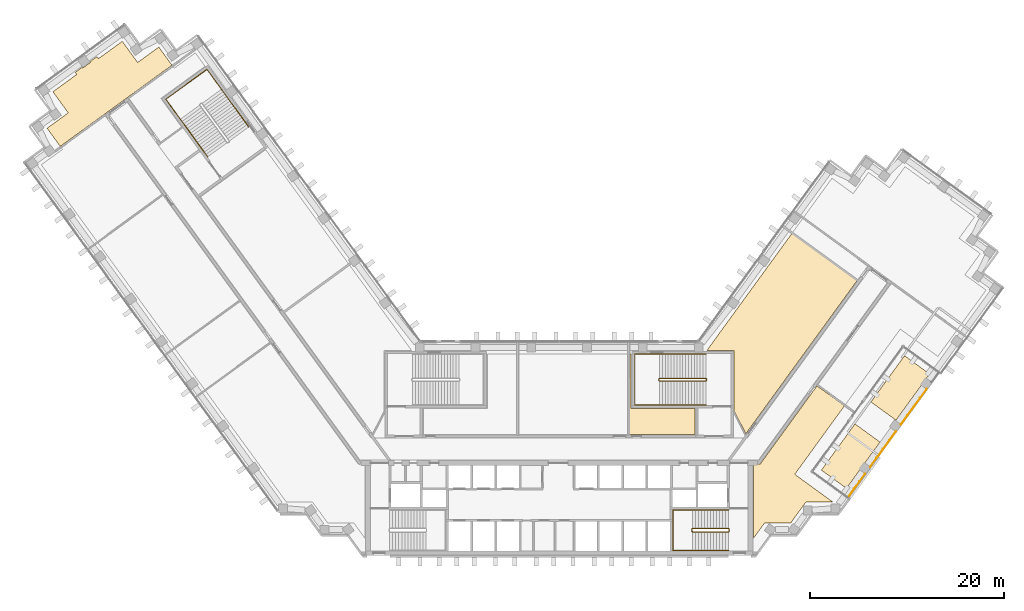
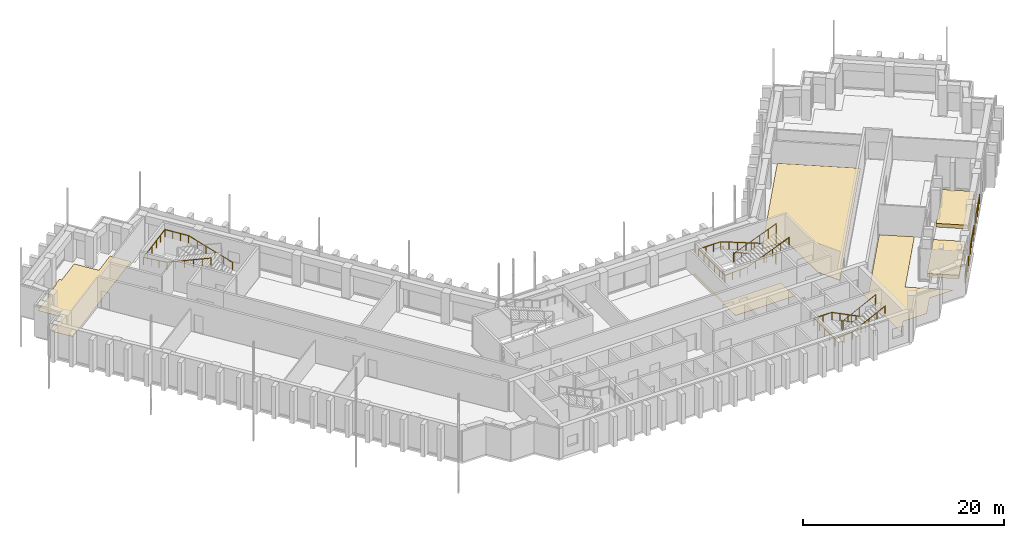
# One storey, part 16 of 17: 8 railings, 6 coverings.
"""IFC4 building model written with IfcOpenShell, lengths in metres."""

from ifc_helpers import new_model, si_unit, direction, frame, origin, origin_2d, place, context, subcontext, project, spatial, polyline, circle, outline, extrude, material, layer, layer_set, type_object, element, save


model = new_model("IFC4")

# Units and contexts
model_context = context("Model", 3, precision=1e-05, world=origin(), true_north=direction((0.0, 1.0)))
body_context = subcontext(model_context, "Body", "Model", "MODEL_VIEW")
ifc_project = project(units=[si_unit("LENGTHUNIT", "METRE"), si_unit("AREAUNIT", "SQUARE_METRE"), si_unit("VOLUMEUNIT", "CUBIC_METRE"), si_unit("PLANEANGLEUNIT", "RADIAN"), si_unit("MASSUNIT", "GRAM", prefix="KILO")], contexts=[model_context])

# Site, building, storey
site_placement = place(None, origin())
site = spatial("IfcSite", under=ifc_project, at=site_placement, CompositionType="ELEMENT")
building_placement = place(site_placement, origin())
building = spatial("IfcBuilding", under=site, at=building_placement, Name="Quipu Civic Tower", CompositionType="ELEMENT")
storey_placement = place(building_placement, frame((0.0, 0.0, 101.0)))
storey = spatial("IfcBuildingStorey", under=building, at=storey_placement, Name="L23", CompositionType="ELEMENT", Elevation=101.0)

# Coverings
ifc_material_1 = material(Name="Carpet tile on raised access floor")
ifc_layer_1 = layer(ifc_material_1, 0.02001953125)
ifc_layer_set_1 = layer_set([ifc_layer_1], Name="Carpet tile on raised access floor")
covering_type_1 = type_object("IfcCoveringType", Name="Carpet tile floor finish 20", PredefinedType="FLOORING", material=ifc_layer_set_1)
covering_1_placement = place(storey_placement, origin())
element("IfcCovering", 1, at=covering_1_placement, inside=storey, type_object=covering_type_1, Name="Carpet tile floor finish 20", PredefinedType="FLOORING", context=body_context, shape_type="SweptSolid", body=[
    extrude(outline(polyline([(-52.883056640625, 33.12890625), (-50.698974609375, 34.717041015625), (-52.284912109375, 36.90087890625), (-49.826904296875, 38.68603515625), (-49.97900390625, 38.89697265625), (-49.259033203125, 39.4208984375), (-49.236083984375, 39.388916015625), (-49.23291015625, 39.385009765625), (-49.22900390625, 39.382080078125), (-49.22607421875, 39.3779296875), (-49.220947265625, 39.3759765625), (-49.217041015625, 39.373046875), (-49.212890625, 39.37109375), (-49.2080078125, 39.3701171875), (-49.202880859375, 39.368896484375), (-49.197998046875, 39.367919921875), (-49.193115234375, 39.367919921875), (-49.18896484375, 39.368896484375), (-49.18408203125, 39.3701171875), (-49.178955078125, 39.37109375), (-49.174072265625, 39.373046875), (-49.169921875, 39.375), (-49.166015625, 39.3779296875), (-48.43798828125, 39.906982421875), (-48.43408203125, 39.909912109375), (-48.430908203125, 39.9130859375), (-48.427001953125, 39.9169921875), (-48.425048828125, 39.9208984375), (-48.422119140625, 39.926025390625), (-48.419921875, 39.929931640625), (-48.4189453125, 39.93505859375), (-48.41796875, 39.93994140625), (-48.4169921875, 39.944091796875), (-48.4169921875, 39.948974609375), (-48.41796875, 39.9541015625), (-48.4189453125, 39.958984375), (-48.419921875, 39.964111328125), (-48.422119140625, 39.968017578125), (-48.424072265625, 39.972900390625), (-48.427001953125, 39.97705078125), (-48.449951171875, 40.008056640625), (-47.72900390625, 40.531982421875), (-47.574951171875, 40.322021484375), (-45.116943359375, 42.10791015625), (-43.531982421875, 39.925048828125), (-41.346923828125, 41.510986328125), (-39.989013671875, 39.64208984375), (-51.52587890625, 31.260009765625), (-52.883056640625, 33.12890625)])), origin(), (0.0, 0.0, 1.0), 0.02001953125),
])
covering_2_placement = place(storey_placement, origin())
element("IfcCovering", 2, at=covering_2_placement, inside=storey, type_object=covering_type_1, Name="Carpet tile floor finish 20", PredefinedType="FLOORING", context=body_context, shape_type="SweptSolid", body=[
    extrude(outline(polyline([(20.070068359375, -9.195068359375), (20.070068359375, -1.52001953125), (20.77490234375, -1.51904296875), (26.6220703125, 6.529052734375), (29.4619140625, 4.467041015625), (24.322998046875, -2.60791015625), (28.205078125, -5.429931640625), (28.18310546875, -5.4609375), (25.48193359375, -5.4619140625), (25.2080078125, -5.840087890625), (25.205078125, -5.841064453125), (25.200927734375, -5.843017578125), (25.197021484375, -5.844970703125), (25.193115234375, -5.847900390625), (25.18896484375, -5.85205078125), (25.18603515625, -5.85498046875), (25.18310546875, -5.85888671875), (25.179931640625, -5.863037109375), (25.177978515625, -5.867919921875), (25.177001953125, -5.8720703125), (25.175048828125, -5.876953125), (25.175048828125, -5.882080078125), (25.174072265625, -5.885986328125), (23.89501953125, -7.64599609375), (21.721923828125, -7.64599609375), (21.721923828125, -7.64599609375), (21.718017578125, -7.64306640625), (21.712890625, -7.64111328125), (21.708984375, -7.638916015625), (21.7041015625, -7.637939453125), (21.698974609375, -7.636962890625), (21.694091796875, -7.635986328125), (21.68896484375, -7.636962890625), (21.68408203125, -7.636962890625), (21.679931640625, -7.637939453125), (21.675048828125, -7.639892578125), (21.669921875, -7.64111328125), (21.666015625, -7.64404296875), (21.6630859375, -7.64599609375), (21.196044921875, -7.64599609375), (20.070068359375, -9.195068359375)])), origin(), (0.0, 0.0, 1.0), 0.02001953125),
])
ifc_material_2 = material(Name="Ceramic floor tile")
ifc_layer_2 = layer(ifc_material_2, 0.030029296875)
ifc_layer_set_2 = layer_set([ifc_layer_2], Name="Ceramic floor tile")
covering_type_2 = type_object("IfcCoveringType", Name="Ceramic tile floor finish 30", PredefinedType="FLOORING", material=ifc_layer_set_2)
covering_3_placement = place(storey_placement, origin())
element("IfcCovering", 3, at=covering_3_placement, inside=storey, type_object=covering_type_2, Name="Ceramic tile floor finish 30", PredefinedType="FLOORING", context=body_context, shape_type="SweptSolid", body=[
    extrude(outline(polyline([(7.26806640625, 1.52001953125), (7.26806640625, 9.830078125), (7.429931640625, 9.830078125), (7.429931640625, 4.180908203125), (14.030029296875, 4.179931640625), (14.030029296875, 1.52001953125), (7.26806640625, 1.52001953125)])), origin(), (0.0, 0.0, 1.0), 0.030029296875),
])
ifc_material_3 = material(Name="Planting soil on drainage board")
ifc_layer_3 = layer(ifc_material_3, 0.449951171875)
ifc_layer_set_3 = layer_set([ifc_layer_3], Name="Planting soil on drainage board")
covering_type_3 = type_object("IfcCoveringType", Name="Planted terrace build-up", PredefinedType="FLOORING", material=ifc_layer_set_3)
covering_4_placement = place(storey_placement, origin())
element("IfcCovering", 4, at=covering_4_placement, inside=storey, type_object=covering_type_3, Name="Planted terrace L23 bed 1", PredefinedType="FLOORING", context=body_context, shape_type="SweptSolid", body=[
    extrude(outline(polyline([(30.54150390625, 2.60009765625), (33.13037109375, 0.718994140625), (29.66259765625, -4.0537109375), (27.07373046875, -2.1728515625), (30.54150390625, 2.60009765625)])), origin(), (0.0, 0.0, 1.0), 0.449951171875),
])
covering_5_placement = place(storey_placement, origin())
element("IfcCovering", 5, at=covering_5_placement, inside=storey, type_object=covering_type_3, Name="Planted terrace L23 bed 2", PredefinedType="FLOORING", context=body_context, shape_type="SweptSolid", body=[
    extrude(outline(polyline([(35.655517578125, 9.638916015625), (38.244384765625, 7.7578125), (34.776123046875, 2.984375), (32.187255859375, 4.865234375), (35.655517578125, 9.638916015625)])), origin(), (0.0, 0.0, 1.0), 0.449951171875),
])
ifc_material_4 = material(Name="Sealed cement screed")
ifc_layer_4 = layer(ifc_material_4, 0.050048828125)
ifc_layer_set_4 = layer_set([ifc_layer_4], Name="Sealed cement screed")
covering_type_4 = type_object("IfcCoveringType", Name="Sealed screed floor finish 50", PredefinedType="FLOORING", material=ifc_layer_set_4)
covering_6_placement = place(storey_placement, origin())
element("IfcCovering", 6, at=covering_6_placement, inside=storey, type_object=covering_type_4, Name="Sealed screed floor finish 50", PredefinedType="FLOORING", context=body_context, shape_type="SweptSolid", body=[
    extrude(outline(polyline([(15.238037109375, 10.169921875), (24.029052734375, 22.26904296875), (30.751953125, 17.385986328125), (19.27197265625, 1.583984375), (18.070068359375, 3.94189453125), (18.070068359375, 10.1689453125), (15.238037109375, 10.169921875)])), origin(), (0.0, 0.0, 1.0), 0.050048828125),
])

# Railings
ifc_material_5 = material(Name="Stainless steel", Category="steel")
railing_type_1 = type_object("IfcRailingType", Name="Stair guard 1100", PredefinedType="GUARDRAIL", material=ifc_material_5)
railing_1_placement = place(storey_placement, frame((17.5, -8.199951171875, 0.15380859375)))
element("IfcRailing", 7, at=railing_1_placement, inside=storey, type_object=railing_type_1, Name="Stair 2 guard", PredefinedType="GUARDRAIL", context=body_context, shape_type="SweptSolid", body=[
    extrude(circle(Radius=0.02392578125, at=origin_2d()), frame((0.0, 0.0, 1.076171875), z_axis=(-0.895751851347, 0.0, 0.444554407028), x_axis=(0.0, -1.0, 0.0)), (0.0, 0.0, 1.0), 4.15283203125),
    extrude(circle(Radius=0.02392578125, at=origin_2d()), frame((-3.719970703125, 0.0, 2.92236328125), z_axis=(-0.707106781187, -0.707106781187, 0.0), x_axis=(0.707106781187, -0.707106781187, 0.0)), (0.0, 0.0, 1.0), 0.07080078125),
    extrude(circle(Radius=0.02392578125, at=origin_2d()), frame((-3.77001953125, -0.050048828125, 2.92236328125), z_axis=(0.0, -1.0, 0.0), x_axis=(1.0, 0.0, 0.0)), (0.0, 0.0, 1.0), 0.25),
    extrude(circle(Radius=0.02392578125, at=origin_2d()), frame((-3.77001953125, -0.300048828125, 2.92236328125), z_axis=(0.295599637079, -0.295599637079, 0.908428152975), x_axis=(0.707106781187, 0.707106781187, 0.0)), (0.0, 0.0, 1.0), 0.16943359375),
    extrude(circle(Radius=0.02392578125, at=origin_2d()), frame((-3.719970703125, -0.35009765625, 3.076171875), z_axis=(0.895751851347, 0.0, 0.444554407028), x_axis=(0.0, 1.0, 0.0)), (0.0, 0.0, 1.0), 4.15283203125),
    extrude(circle(Radius=0.02392578125, at=origin_2d()), frame((0.0, -0.35009765625, 4.92236328125), z_axis=(0.012476181752, 0.074796231092, -0.997120789425), x_axis=(-0.986372223864, 0.164529134168, 0.0)), (0.0, 0.0, 1.0), 4.011474609375),
    extrude(circle(Radius=0.02392578125, at=origin_2d()), frame((0.050048828125, -0.050048828125, 0.92236328125), z_axis=(0.0, -1.0, 0.0), x_axis=(1.0, 0.0, 0.0)), (0.0, 0.0, 1.0), 0.25),
    extrude(circle(Radius=0.02099609375, at=origin_2d()), origin(), (0.0, 0.0, 1.0), 1.052001953125),
    extrude(circle(Radius=0.02099609375, at=origin_2d()), frame((-0.929931640625, 0.0, 0.46142578125)), (0.0, 0.0, 1.0), 1.052001953125),
    extrude(circle(Radius=0.02099609375, at=origin_2d()), frame((-1.85986328125, 0.0, 0.923095703125)), (0.0, 0.0, 1.0), 1.052001953125),
    extrude(circle(Radius=0.02099609375, at=origin_2d()), frame((-2.7900390625, 0.0, 1.384765625)), (0.0, 0.0, 1.0), 1.052001953125),
    extrude(circle(Radius=0.02099609375, at=origin_2d()), frame((-3.719970703125, 0.0, 1.84619140625)), (0.0, 0.0, 1.0), 1.052001953125),
    extrude(circle(Radius=0.02099609375, at=origin_2d()), frame((-3.77001953125, -0.050048828125, 1.84619140625)), (0.0, 0.0, 1.0), 1.052001953125),
    extrude(circle(Radius=0.02099609375, at=origin_2d()), frame((-3.77001953125, -0.300048828125, 1.84619140625)), (0.0, 0.0, 1.0), 1.052001953125),
    extrude(circle(Radius=0.02099609375, at=origin_2d()), frame((-3.719970703125, -0.35009765625, 2.0)), (0.0, 0.0, 1.0), 1.052001953125),
    extrude(circle(Radius=0.02099609375, at=origin_2d()), frame((-2.7900390625, -0.35009765625, 2.46142578125)), (0.0, 0.0, 1.0), 1.052001953125),
    extrude(circle(Radius=0.02099609375, at=origin_2d()), frame((-1.85986328125, -0.35009765625, 2.923095703125)), (0.0, 0.0, 1.0), 1.052001953125),
    extrude(circle(Radius=0.02099609375, at=origin_2d()), frame((-0.929931640625, -0.35009765625, 3.384765625)), (0.0, 0.0, 1.0), 1.052001953125),
    extrude(circle(Radius=0.02099609375, at=origin_2d()), frame((0.0, -0.35009765625, 3.84619140625)), (0.0, 0.0, 1.0), 1.052001953125),
    extrude(circle(Radius=0.02099609375, at=origin_2d()), frame((0.012451171875, -0.275146484375, 2.84619140625)), (0.0, 0.0, 1.0), 1.052001953125),
    extrude(circle(Radius=0.02099609375, at=origin_2d()), frame((0.02490234375, -0.2001953125, 1.84619140625)), (0.0, 0.0, 1.0), 1.052001953125),
    extrude(circle(Radius=0.02099609375, at=origin_2d()), frame((0.03759765625, -0.125, 0.84619140625)), (0.0, 0.0, 1.0), 1.052001953125),
    extrude(circle(Radius=0.02099609375, at=origin_2d()), frame((0.050048828125, -0.050048828125, -0.15380859375)), (0.0, 0.0, 1.0), 1.052001953125),
    extrude(circle(Radius=0.02099609375, at=origin_2d()), frame((0.050048828125, -0.300048828125, -0.15380859375)), (0.0, 0.0, 1.0), 1.052001953125),
])
railing_2_placement = place(storey_placement, frame((15.14990234375, 7.300048828125, 0.11767578125)))
element("IfcRailing", 8, at=railing_2_placement, inside=storey, type_object=railing_type_1, Name="Stair 4 guard", PredefinedType="GUARDRAIL", context=body_context, shape_type="SweptSolid", body=[
    extrude(circle(Radius=0.02392578125, at=origin_2d()), frame((0.0, 0.0, 1.076171875), z_axis=(-0.930970042603, 0.0, 0.365095576219), x_axis=(0.0, -1.0, 0.0)), (0.0, 0.0, 1.0), 5.15576171875),
    extrude(circle(Radius=0.02392578125, at=origin_2d()), frame((-4.7998046875, 0.0, 2.95849609375), z_axis=(-0.707106781187, -0.707106781187, 0.0), x_axis=(0.707106781187, -0.707106781187, 0.0)), (0.0, 0.0, 1.0), 0.07080078125),
    extrude(circle(Radius=0.02392578125, at=origin_2d()), frame((-4.849853515625, -0.050048828125, 2.95849609375), z_axis=(0.0, -1.0, 0.0), x_axis=(1.0, 0.0, 0.0)), (0.0, 0.0, 1.0), 0.14990234375),
    extrude(circle(Radius=0.02392578125, at=origin_2d()), frame((-4.849853515625, -0.199951171875, 2.95849609375), z_axis=(0.364463019033, -0.364463019033, 0.856932561824), x_axis=(0.707106781187, 0.707106781187, 0.0)), (0.0, 0.0, 1.0), 0.13720703125),
    extrude(circle(Radius=0.02392578125, at=origin_2d()), frame((-4.7998046875, -0.25, 3.076171875), z_axis=(0.930970042603, 0.0, 0.365095576219), x_axis=(0.0, 1.0, 0.0)), (0.0, 0.0, 1.0), 5.15576171875),
    extrude(circle(Radius=0.02392578125, at=origin_2d()), frame((0.0, -0.25, 4.95849609375), z_axis=(0.012495627992, 0.049921557685, -0.998674970829), x_axis=(-0.970072785993, 0.242814311512, 0.0)), (0.0, 0.0, 1.0), 4.00537109375),
    extrude(circle(Radius=0.02392578125, at=origin_2d()), frame((0.050048828125, -0.050048828125, 0.95849609375), z_axis=(0.0, -1.0, 0.0), x_axis=(1.0, 0.0, 0.0)), (0.0, 0.0, 1.0), 0.14990234375),
    extrude(circle(Radius=0.02099609375, at=origin_2d()), origin(), (0.0, 0.0, 1.0), 1.052001953125),
    extrude(circle(Radius=0.02099609375, at=origin_2d()), frame((-0.9599609375, 0.0, 0.37646484375)), (0.0, 0.0, 1.0), 1.052001953125),
    extrude(circle(Radius=0.02099609375, at=origin_2d()), frame((-1.919921875, 0.0, 0.7529296875)), (0.0, 0.0, 1.0), 1.052001953125),
    extrude(circle(Radius=0.02099609375, at=origin_2d()), frame((-2.8798828125, 0.0, 1.12939453125)), (0.0, 0.0, 1.0), 1.052001953125),
    extrude(circle(Radius=0.02099609375, at=origin_2d()), frame((-3.83984375, 0.0, 1.505859375)), (0.0, 0.0, 1.0), 1.052001953125),
    extrude(circle(Radius=0.02099609375, at=origin_2d()), frame((-4.7998046875, 0.0, 1.88232421875)), (0.0, 0.0, 1.0), 1.052001953125),
    extrude(circle(Radius=0.02099609375, at=origin_2d()), frame((-4.849853515625, -0.050048828125, 1.88232421875)), (0.0, 0.0, 1.0), 1.052001953125),
    extrude(circle(Radius=0.02099609375, at=origin_2d()), frame((-4.849853515625, -0.199951171875, 1.88232421875)), (0.0, 0.0, 1.0), 1.052001953125),
    extrude(circle(Radius=0.02099609375, at=origin_2d()), frame((-4.7998046875, -0.25, 2.0)), (0.0, 0.0, 1.0), 1.052001953125),
    extrude(circle(Radius=0.02099609375, at=origin_2d()), frame((-3.83984375, -0.25, 2.37646484375)), (0.0, 0.0, 1.0), 1.052001953125),
    extrude(circle(Radius=0.02099609375, at=origin_2d()), frame((-2.8798828125, -0.25, 2.7529296875)), (0.0, 0.0, 1.0), 1.052001953125),
    extrude(circle(Radius=0.02099609375, at=origin_2d()), frame((-1.919921875, -0.25, 3.12939453125)), (0.0, 0.0, 1.0), 1.052001953125),
    extrude(circle(Radius=0.02099609375, at=origin_2d()), frame((-0.9599609375, -0.25, 3.505859375)), (0.0, 0.0, 1.0), 1.052001953125),
    extrude(circle(Radius=0.02099609375, at=origin_2d()), frame((0.0, -0.25, 3.88232421875)), (0.0, 0.0, 1.0), 1.052001953125),
    extrude(circle(Radius=0.02099609375, at=origin_2d()), frame((0.012451171875, -0.199951171875, 2.88232421875)), (0.0, 0.0, 1.0), 1.052001953125),
    extrude(circle(Radius=0.02099609375, at=origin_2d()), frame((0.02490234375, -0.14990234375, 1.88232421875)), (0.0, 0.0, 1.0), 1.052001953125),
    extrude(circle(Radius=0.02099609375, at=origin_2d()), frame((0.03759765625, -0.10009765625, 0.88232421875)), (0.0, 0.0, 1.0), 1.052001953125),
    extrude(circle(Radius=0.02099609375, at=origin_2d()), frame((0.050048828125, -0.050048828125, -0.11767578125)), (0.0, 0.0, 1.0), 1.052001953125),
    extrude(circle(Radius=0.02099609375, at=origin_2d()), frame((0.050048828125, -0.199951171875, -0.11767578125)), (0.0, 0.0, 1.0), 1.052001953125),
])
ifc_material_6 = material(Name="Stainless steel", Category="steel")
railing_type_2 = type_object("IfcRailingType", Name="Stair handrail", PredefinedType="HANDRAIL", material=ifc_material_6)
railing_3_placement = place(storey_placement, frame((17.5, -6.300048828125, 0.15380859375)))
element("IfcRailing", 9, at=railing_3_placement, inside=storey, type_object=railing_type_2, Name="Stair 2 handrail", PredefinedType="HANDRAIL", context=body_context, shape_type="SweptSolid", body=[
    extrude(circle(Radius=0.02392578125, at=origin_2d()), frame((0.0, 0.0, 0.8759765625), z_axis=(-0.895751851347, 0.0, 0.444554407028), x_axis=(0.0, -1.0, 0.0)), (0.0, 0.0, 1.0), 4.15283203125),
    extrude(circle(Radius=0.02392578125, at=origin_2d()), frame((-3.719970703125, 0.0, 2.72216796875), z_axis=(-1.0, 0.0, 0.0), x_axis=(0.0, -1.0, 0.0)), (0.0, 0.0, 1.0), 2.030029296875),
    extrude(circle(Radius=0.02392578125, at=origin_2d()), frame((-5.75, 0.0, 2.72216796875), z_axis=(0.0, -1.0, 0.0), x_axis=(1.0, 0.0, 0.0)), (0.0, 0.0, 1.0), 4.14990234375),
    extrude(circle(Radius=0.02392578125, at=origin_2d()), frame((-5.75, -4.14990234375, 2.72216796875), z_axis=(0.997142003663, 0.0, 0.075550145798), x_axis=(0.0, 1.0, 0.0)), (0.0, 0.0, 1.0), 2.035888671875),
    extrude(circle(Radius=0.02392578125, at=origin_2d()), frame((-3.719970703125, -4.14990234375, 2.8759765625), z_axis=(0.895751851347, 0.0, 0.444554407028), x_axis=(0.0, 1.0, 0.0)), (0.0, 0.0, 1.0), 4.15283203125),
    extrude(circle(Radius=0.02099609375, at=origin_2d()), origin(), (0.0, 0.0, 1.0), 0.851806640625),
    extrude(circle(Radius=0.02099609375, at=origin_2d()), frame((-0.929931640625, 0.0, 0.46142578125)), (0.0, 0.0, 1.0), 0.851806640625),
    extrude(circle(Radius=0.02099609375, at=origin_2d()), frame((-1.85986328125, 0.0, 0.923095703125)), (0.0, 0.0, 1.0), 0.851806640625),
    extrude(circle(Radius=0.02099609375, at=origin_2d()), frame((-2.7900390625, 0.0, 1.384765625)), (0.0, 0.0, 1.0), 0.851806640625),
    extrude(circle(Radius=0.02099609375, at=origin_2d()), frame((-3.719970703125, 0.0, 1.84619140625)), (0.0, 0.0, 1.0), 0.851806640625),
    extrude(circle(Radius=0.02099609375, at=origin_2d()), frame((-4.73486328125, 0.0, 1.84619140625)), (0.0, 0.0, 1.0), 0.851806640625),
    extrude(circle(Radius=0.02099609375, at=origin_2d()), frame((-5.75, 0.0, 1.84619140625)), (0.0, 0.0, 1.0), 0.851806640625),
    extrude(circle(Radius=0.02099609375, at=origin_2d()), frame((-5.75, -1.03759765625, 1.84619140625)), (0.0, 0.0, 1.0), 0.851806640625),
    extrude(circle(Radius=0.02099609375, at=origin_2d()), frame((-5.75, -2.074951171875, 1.84619140625)), (0.0, 0.0, 1.0), 0.851806640625),
    extrude(circle(Radius=0.02099609375, at=origin_2d()), frame((-5.75, -3.1123046875, 1.84619140625)), (0.0, 0.0, 1.0), 0.851806640625),
    extrude(circle(Radius=0.02099609375, at=origin_2d()), frame((-5.75, -4.14990234375, 1.84619140625)), (0.0, 0.0, 1.0), 0.851806640625),
    extrude(circle(Radius=0.02099609375, at=origin_2d()), frame((-4.73486328125, -4.14990234375, 1.923095703125)), (0.0, 0.0, 1.0), 0.851806640625),
    extrude(circle(Radius=0.02099609375, at=origin_2d()), frame((-3.719970703125, -4.14990234375, 2.0)), (0.0, 0.0, 1.0), 0.851806640625),
    extrude(circle(Radius=0.02099609375, at=origin_2d()), frame((-2.7900390625, -4.14990234375, 2.46142578125)), (0.0, 0.0, 1.0), 0.851806640625),
    extrude(circle(Radius=0.02099609375, at=origin_2d()), frame((-1.85986328125, -4.14990234375, 2.923095703125)), (0.0, 0.0, 1.0), 0.851806640625),
    extrude(circle(Radius=0.02099609375, at=origin_2d()), frame((-0.929931640625, -4.14990234375, 3.384765625)), (0.0, 0.0, 1.0), 0.851806640625),
    extrude(circle(Radius=0.02099609375, at=origin_2d()), frame((0.0, -4.14990234375, 3.84619140625)), (0.0, 0.0, 1.0), 0.851806640625),
])
railing_4_placement = place(storey_placement, frame((15.14990234375, 9.800048828125, 0.11767578125)))
element("IfcRailing", 10, at=railing_4_placement, inside=storey, type_object=railing_type_2, Name="Stair 4 handrail", PredefinedType="HANDRAIL", context=body_context, shape_type="SweptSolid", body=[
    extrude(circle(Radius=0.02392578125, at=origin_2d()), frame((0.0, 0.0, 0.8759765625), z_axis=(-0.930970042603, 0.0, 0.365095576219), x_axis=(0.0, -1.0, 0.0)), (0.0, 0.0, 1.0), 5.15576171875),
    extrude(circle(Radius=0.02392578125, at=origin_2d()), frame((-4.7998046875, 0.0, 2.75830078125), z_axis=(-1.0, 0.0, 0.0), x_axis=(0.0, -1.0, 0.0)), (0.0, 0.0, 1.0), 2.550048828125),
    extrude(circle(Radius=0.02392578125, at=origin_2d()), frame((-7.349853515625, 0.0, 2.75830078125), z_axis=(0.0, -1.0, 0.0), x_axis=(1.0, 0.0, 0.0)), (0.0, 0.0, 1.0), 5.25),
    extrude(circle(Radius=0.02392578125, at=origin_2d()), frame((-7.349853515625, -5.25, 2.75830078125), z_axis=(0.998936948642, 0.0, 0.04609742549), x_axis=(0.0, 1.0, 0.0)), (0.0, 0.0, 1.0), 2.552734375),
    extrude(circle(Radius=0.02392578125, at=origin_2d()), frame((-4.7998046875, -5.25, 2.8759765625), z_axis=(0.930970042603, 0.0, 0.365095576219), x_axis=(0.0, 1.0, 0.0)), (0.0, 0.0, 1.0), 5.15576171875),
    extrude(circle(Radius=0.02099609375, at=origin_2d()), origin(), (0.0, 0.0, 1.0), 0.851806640625),
    extrude(circle(Radius=0.02099609375, at=origin_2d()), frame((-0.9599609375, 0.0, 0.37646484375)), (0.0, 0.0, 1.0), 0.851806640625),
    extrude(circle(Radius=0.02099609375, at=origin_2d()), frame((-1.919921875, 0.0, 0.7529296875)), (0.0, 0.0, 1.0), 0.851806640625),
    extrude(circle(Radius=0.02099609375, at=origin_2d()), frame((-2.8798828125, 0.0, 1.12939453125)), (0.0, 0.0, 1.0), 0.851806640625),
    extrude(circle(Radius=0.02099609375, at=origin_2d()), frame((-3.83984375, 0.0, 1.505859375)), (0.0, 0.0, 1.0), 0.851806640625),
    extrude(circle(Radius=0.02099609375, at=origin_2d()), frame((-4.7998046875, 0.0, 1.88232421875)), (0.0, 0.0, 1.0), 0.851806640625),
    extrude(circle(Radius=0.02099609375, at=origin_2d()), frame((-5.64990234375, 0.0, 1.88232421875)), (0.0, 0.0, 1.0), 0.851806640625),
    extrude(circle(Radius=0.02099609375, at=origin_2d()), frame((-6.499755859375, 0.0, 1.88232421875)), (0.0, 0.0, 1.0), 0.851806640625),
    extrude(circle(Radius=0.02099609375, at=origin_2d()), frame((-7.349853515625, 0.0, 1.88232421875)), (0.0, 0.0, 1.0), 0.851806640625),
    extrude(circle(Radius=0.02099609375, at=origin_2d()), frame((-7.349853515625, -1.050048828125, 1.88232421875)), (0.0, 0.0, 1.0), 0.851806640625),
    extrude(circle(Radius=0.02099609375, at=origin_2d()), frame((-7.349853515625, -2.10009765625, 1.88232421875)), (0.0, 0.0, 1.0), 0.851806640625),
    extrude(circle(Radius=0.02099609375, at=origin_2d()), frame((-7.349853515625, -3.14990234375, 1.88232421875)), (0.0, 0.0, 1.0), 0.851806640625),
    extrude(circle(Radius=0.02099609375, at=origin_2d()), frame((-7.349853515625, -4.199951171875, 1.88232421875)), (0.0, 0.0, 1.0), 0.851806640625),
    extrude(circle(Radius=0.02099609375, at=origin_2d()), frame((-7.349853515625, -5.25, 1.88232421875)), (0.0, 0.0, 1.0), 0.851806640625),
    extrude(circle(Radius=0.02099609375, at=origin_2d()), frame((-6.499755859375, -5.25, 1.921630859375)), (0.0, 0.0, 1.0), 0.851806640625),
    extrude(circle(Radius=0.02099609375, at=origin_2d()), frame((-5.64990234375, -5.25, 1.960693359375)), (0.0, 0.0, 1.0), 0.851806640625),
    extrude(circle(Radius=0.02099609375, at=origin_2d()), frame((-4.7998046875, -5.25, 2.0)), (0.0, 0.0, 1.0), 0.851806640625),
    extrude(circle(Radius=0.02099609375, at=origin_2d()), frame((-3.83984375, -5.25, 2.37646484375)), (0.0, 0.0, 1.0), 0.851806640625),
    extrude(circle(Radius=0.02099609375, at=origin_2d()), frame((-2.8798828125, -5.25, 2.7529296875)), (0.0, 0.0, 1.0), 0.851806640625),
    extrude(circle(Radius=0.02099609375, at=origin_2d()), frame((-1.919921875, -5.25, 3.12939453125)), (0.0, 0.0, 1.0), 0.851806640625),
    extrude(circle(Radius=0.02099609375, at=origin_2d()), frame((-0.9599609375, -5.25, 3.505859375)), (0.0, 0.0, 1.0), 0.851806640625),
    extrude(circle(Radius=0.02099609375, at=origin_2d()), frame((0.0, -5.25, 3.88232421875)), (0.0, 0.0, 1.0), 0.851806640625),
])
railing_5_placement = place(storey_placement, frame((-32.056396484375, 33.266845703125, 0.11767578125)))
element("IfcRailing", 11, at=railing_5_placement, inside=storey, type_object=railing_type_2, Name="Stair 6 handrail", PredefinedType="HANDRAIL", context=body_context, shape_type="SweptSolid", body=[
    extrude(circle(Radius=0.02392578125, at=origin_2d()), frame((0.0, 0.0, 0.8759765625), z_axis=(-0.54720100349, 0.753182689643, 0.365084781664), x_axis=(-0.809026317077, -0.587772420479, 0.0)), (0.0, 0.0, 1.0), 5.15576171875),
    extrude(circle(Radius=0.02392578125, at=origin_2d()), frame((-2.8212890625, 3.88330078125, 2.75830078125), z_axis=(-0.587767432704, 0.809029940764, 0.0), x_axis=(-0.809029940764, -0.587767432704, 0.0)), (0.0, 0.0, 1.0), 2.550048828125),
    extrude(circle(Radius=0.02392578125, at=origin_2d()), frame((-4.320068359375, 5.9462890625, 2.75830078125), z_axis=(-0.809009483706, -0.587795589702, 0.0), x_axis=(0.587795589702, -0.809009483706, 0.0)), (0.0, 0.0, 1.0), 5.25),
    extrude(circle(Radius=0.02392578125, at=origin_2d()), frame((-8.5673828125, 2.8603515625, 2.75830078125), z_axis=(0.587142558822, -0.808169835812, 0.046099155132), x_axis=(0.809029940764, 0.587767432704, 0.0)), (0.0, 0.0, 1.0), 2.552734375),
    extrude(circle(Radius=0.02392578125, at=origin_2d()), frame((-7.068603515625, 0.79736328125, 2.8759765625), z_axis=(0.54720100349, -0.753182689643, 0.365084781664), x_axis=(0.809026317077, 0.587772420479, 0.0)), (0.0, 0.0, 1.0), 5.15576171875),
    extrude(circle(Radius=0.02099609375, at=origin_2d()), origin(), (0.0, 0.0, 1.0), 0.851806640625),
    extrude(circle(Radius=0.02099609375, at=origin_2d()), frame((-0.564208984375, 0.776611328125, 0.37646484375)), (0.0, 0.0, 1.0), 0.851806640625),
    extrude(circle(Radius=0.02099609375, at=origin_2d()), frame((-1.12841796875, 1.55322265625, 0.7529296875)), (0.0, 0.0, 1.0), 0.851806640625),
    extrude(circle(Radius=0.02099609375, at=origin_2d()), frame((-1.69287109375, 2.330078125, 1.12939453125)), (0.0, 0.0, 1.0), 0.851806640625),
    extrude(circle(Radius=0.02099609375, at=origin_2d()), frame((-2.257080078125, 3.106689453125, 1.505859375)), (0.0, 0.0, 1.0), 0.851806640625),
    extrude(circle(Radius=0.02099609375, at=origin_2d()), frame((-2.8212890625, 3.88330078125, 1.88232421875)), (0.0, 0.0, 1.0), 0.851806640625),
    extrude(circle(Radius=0.02099609375, at=origin_2d()), frame((-3.32080078125, 4.571044921875, 1.88232421875)), (0.0, 0.0, 1.0), 0.851806640625),
    extrude(circle(Radius=0.02099609375, at=origin_2d()), frame((-3.820556640625, 5.258544921875, 1.88232421875)), (0.0, 0.0, 1.0), 0.851806640625),
    extrude(circle(Radius=0.02099609375, at=origin_2d()), frame((-4.320068359375, 5.9462890625, 1.88232421875)), (0.0, 0.0, 1.0), 0.851806640625),
    extrude(circle(Radius=0.02099609375, at=origin_2d()), frame((-5.16943359375, 5.3291015625, 1.88232421875)), (0.0, 0.0, 1.0), 0.851806640625),
    extrude(circle(Radius=0.02099609375, at=origin_2d()), frame((-6.01904296875, 4.7119140625, 1.88232421875)), (0.0, 0.0, 1.0), 0.851806640625),
    extrude(circle(Radius=0.02099609375, at=origin_2d()), frame((-6.868408203125, 4.0947265625, 1.88232421875)), (0.0, 0.0, 1.0), 0.851806640625),
    extrude(circle(Radius=0.02099609375, at=origin_2d()), frame((-7.718017578125, 3.4775390625, 1.88232421875)), (0.0, 0.0, 1.0), 0.851806640625),
    extrude(circle(Radius=0.02099609375, at=origin_2d()), frame((-8.5673828125, 2.8603515625, 1.88232421875)), (0.0, 0.0, 1.0), 0.851806640625),
    extrude(circle(Radius=0.02099609375, at=origin_2d()), frame((-8.06787109375, 2.172607421875, 1.921630859375)), (0.0, 0.0, 1.0), 0.851806640625),
    extrude(circle(Radius=0.02099609375, at=origin_2d()), frame((-7.568115234375, 1.485107421875, 1.960693359375)), (0.0, 0.0, 1.0), 0.851806640625),
    extrude(circle(Radius=0.02099609375, at=origin_2d()), frame((-7.068603515625, 0.79736328125, 2.0)), (0.0, 0.0, 1.0), 0.851806640625),
    extrude(circle(Radius=0.02099609375, at=origin_2d()), frame((-6.50439453125, 0.020751953125, 2.37646484375)), (0.0, 0.0, 1.0), 0.851806640625),
    extrude(circle(Radius=0.02099609375, at=origin_2d()), frame((-5.940185546875, -0.755859375, 2.7529296875)), (0.0, 0.0, 1.0), 0.851806640625),
    extrude(circle(Radius=0.02099609375, at=origin_2d()), frame((-5.375732421875, -1.53271484375, 3.12939453125)), (0.0, 0.0, 1.0), 0.851806640625),
    extrude(circle(Radius=0.02099609375, at=origin_2d()), frame((-4.8115234375, -2.309326171875, 3.505859375)), (0.0, 0.0, 1.0), 0.851806640625),
    extrude(circle(Radius=0.02099609375, at=origin_2d()), frame((-4.247314453125, -3.0859375, 3.88232421875)), (0.0, 0.0, 1.0), 0.851806640625),
])
ifc_material_7 = material(Name="Steel S275", Category="steel")
railing_type_3 = type_object("IfcRailingType", Name="Terrace guard G1", PredefinedType="GUARDRAIL", material=ifc_material_7)
railing_6_placement = place(storey_placement, frame((29.860107421875, -4.93896484375, 0.0)))
element("IfcRailing", 12, at=railing_6_placement, inside=storey, type_object=railing_type_3, Name="Terrace guard L23.1", PredefinedType="GUARDRAIL", context=body_context, shape_type="SweptSolid", body=[
    extrude(circle(Radius=0.02490234375, at=origin_2d()), frame((0.0, 0.0, 1.1748046875), z_axis=(0.587782264391, 0.809019165204, 0.0), x_axis=(-0.809019165204, 0.587782264391, 0.0)), (0.0, 0.0, 1.0), 2.9453125),
    extrude(circle(Radius=0.02490234375, at=origin_2d()), origin(), (0.0, 0.0, 1.0), 1.14990234375),
    extrude(circle(Radius=0.02490234375, at=origin_2d()), frame((0.5771484375, 0.794189453125, 0.0)), (0.0, 0.0, 1.0), 1.14990234375),
    extrude(circle(Radius=0.02490234375, at=origin_2d()), frame((1.154052734375, 1.588623046875, 0.0)), (0.0, 0.0, 1.0), 1.14990234375),
    extrude(circle(Radius=0.02490234375, at=origin_2d()), frame((1.731201171875, 2.3828125, 0.0)), (0.0, 0.0, 1.0), 1.14990234375),
])
for number, where, name in (
    (13, (32.120361328125, -1.827880859375, 0.0), "Terrace guard L23.2"),
    (14, (35.29443359375, 2.540771484375, 0.0), "Terrace guard L23.3"),
):
    element("IfcRailing", number, at=place(storey_placement, frame(where)), inside=storey, type_object=railing_type_3, Name=name, PredefinedType="GUARDRAIL", context=body_context, shape_type="SweptSolid", body=[
        extrude(circle(Radius=0.02490234375, at=origin_2d()), frame((0.0, 0.0, 1.1748046875), z_axis=(0.587803872688, 0.809003465539, 0.0), x_axis=(-0.809003465539, 0.587803872688, 0.0)), (0.0, 0.0, 1.0), 4.499755859375),
        extrude(circle(Radius=0.02490234375, at=origin_2d()), origin(), (0.0, 0.0, 1.0), 1.14990234375),
        extrude(circle(Radius=0.02490234375, at=origin_2d()), frame((0.6611328125, 0.91015625, 0.0)), (0.0, 0.0, 1.0), 1.14990234375),
        extrude(circle(Radius=0.02490234375, at=origin_2d()), frame((1.322509765625, 1.8203125, 0.0)), (0.0, 0.0, 1.0), 1.14990234375),
        extrude(circle(Radius=0.02490234375, at=origin_2d()), frame((1.98388671875, 2.730224609375, 0.0)), (0.0, 0.0, 1.0), 1.14990234375),
        extrude(circle(Radius=0.02490234375, at=origin_2d()), frame((2.64501953125, 3.640380859375, 0.0)), (0.0, 0.0, 1.0), 1.14990234375),
    ])

save(model, "model.ifc")
